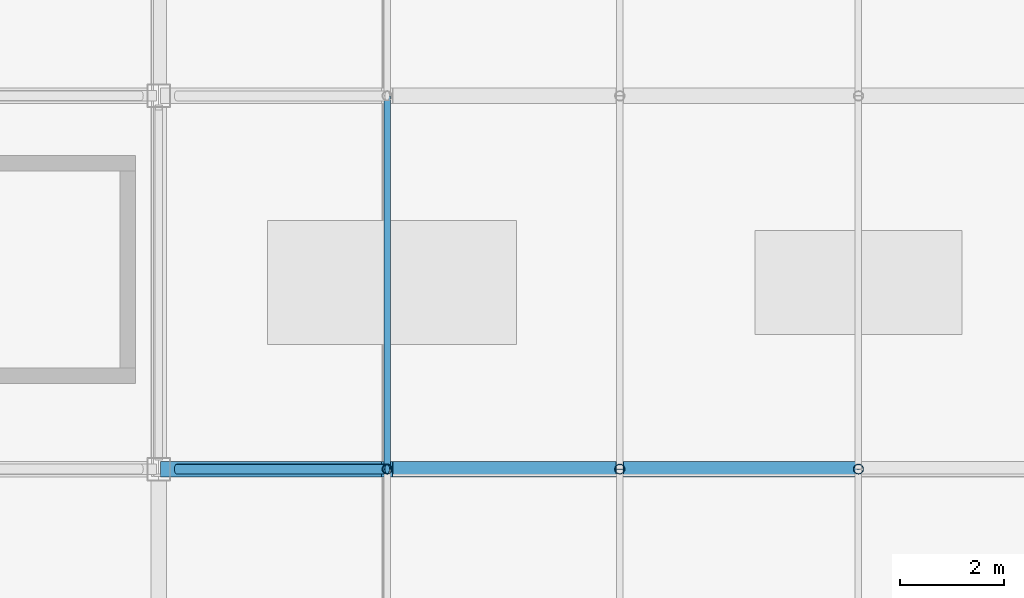
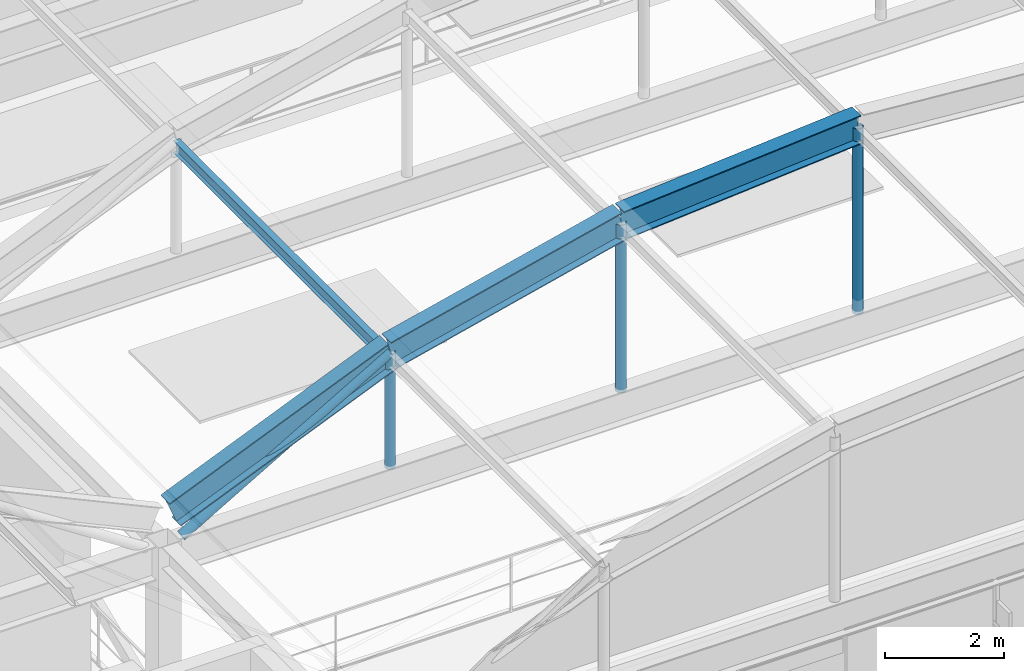
# One storey, part 36 of 106: 8 members.
"""IFC4 building model written with IfcOpenShell, lengths in metres."""

from ifc_helpers import new_model, si_unit, direction, frame, origin, origin_2d, place, context, subcontext, project, spatial, hollow_circle, i_section, extrude, material, material_profile, profile_set, type_object, element, save


model = new_model("IFC4")

# Units and contexts
model_context = context("Model", 3, precision=1e-05, world=origin(), true_north=direction((0.0, 1.0)))
body_context = subcontext(model_context, "Body", "Model", "MODEL_VIEW")
ifc_project = project(units=[si_unit("LENGTHUNIT", "METRE"), si_unit("AREAUNIT", "SQUARE_METRE"), si_unit("VOLUMEUNIT", "CUBIC_METRE"), si_unit("PLANEANGLEUNIT", "RADIAN"), si_unit("MASSUNIT", "GRAM", prefix="KILO")], contexts=[model_context])

# Site, building, storey
site_placement = place(None, origin())
site = spatial("IfcSite", under=ifc_project, at=site_placement, CompositionType="ELEMENT")
building_placement = place(site_placement, origin())
building = spatial("IfcBuilding", under=site, at=building_placement, Name="Kazanami Central Library", CompositionType="ELEMENT")
storey_placement = place(building_placement, frame((0.0, 0.0, 12.800048828125)))
storey = spatial("IfcBuildingStorey", under=building, at=storey_placement, Name="L04", CompositionType="ELEMENT", Elevation=12.800048828125)

# Members
ifc_material_1 = material(Name="Steel SN490B (325 MPa)", Category="steel")
ifc_material_profile_1 = material_profile(ifc_material_1, i_section(OverallWidth=0.300048828125, OverallDepth=0.587890625, WebThickness=0.011962890625, FlangeThickness=0.02001953125, at=origin_2d()), Name="H-588x300x12x20")
ifc_profile_set_1 = profile_set([ifc_material_profile_1], Name="Steel SN490B (325 MPa)")
member_type_1 = type_object("IfcMemberType", Name="MEM-AR-01", PredefinedType="CHORD", material=ifc_profile_set_1)
for number, where, z_axis, x_axis, name in (
    (1, (63.14990234375, 72.0, 4.299072265625), (0.921854112797, 0.0, 0.387537088185), (0.0, 1.0, 0.0), "Barrel Vault Arch Rib AR-01 VAULT-MAIN Grid L Seg 1"),
    (2, (67.407958984375, 72.0, 6.089111328125), (0.971622638672, 0.0, 0.236536356656), (0.0, 1.0, 0.0), "Barrel Vault Arch Rib AR-01 VAULT-MAIN Grid L Seg 2"),
    (3, (71.895751953125, 72.0, 7.181640625), (0.99683088961, 0.0, 0.079549842985), (0.0, 1.0, 0.0), "Barrel Vault Arch Rib AR-01 VAULT-MAIN Grid L Seg 3"),
):
    element("IfcMember", number, at=place(storey_placement, frame(where, z_axis=z_axis, x_axis=x_axis)), inside=storey, type_object=member_type_1, Name=name, PredefinedType="CHORD", context=body_context, shape_type="SweptSolid", body=[
        extrude(i_section(OverallWidth=0.300048828125, OverallDepth=0.587890625, WebThickness=0.011962890625, FlangeThickness=0.02001953125, at=origin_2d()), origin(), (0.0, 0.0, 1.0), 4.618896484375),
    ])
ifc_material_2 = material(Name="Steel SN400B (235 MPa)", Category="steel")
ifc_material_profile_2 = material_profile(ifc_material_2, i_section(OverallWidth=0.125, OverallDepth=0.25, WebThickness=0.006103515625, FlangeThickness=0.009033203125, at=origin_2d()), Name="H-250x125x6x9")
ifc_profile_set_2 = profile_set([ifc_material_profile_2], Name="Steel SN400B (235 MPa)")
member_type_2 = type_object("IfcMemberType", Name="MEM-PUR-250", PredefinedType="PURLIN", material=ifc_profile_set_2)
member_1_placement = place(storey_placement, frame((67.407958984375, 72.0048828125, 5.94921875), z_axis=(0.0, 1.0, 0.0), x_axis=(-1.0, 0.0, 0.0)))
element("IfcMember", 4, at=member_1_placement, inside=storey, type_object=member_type_2, Name="Barrel Vault Longitudinal Purlin VAULT-MAIN Knuckle 1.2", PredefinedType="PURLIN", context=body_context, shape_type="SweptSolid", body=[
    extrude(i_section(OverallWidth=0.125, OverallDepth=0.25, WebThickness=0.006103515625, FlangeThickness=0.009033203125, at=origin_2d()), origin(), (0.0, 0.0, 1.0), 7.190185546875),
])
ifc_material_3 = material(Name="Steel STK490 (315 MPa)", Category="steel")
ifc_material_profile_3 = material_profile(ifc_material_3, hollow_circle(Radius=0.095458984375, WallThickness=0.007080078125, at=origin_2d()), Name="CHS-190.7x7.0")
ifc_profile_set_3 = profile_set([ifc_material_profile_3], Name="Steel STK490 (315 MPa)")
member_type_3 = type_object("IfcMemberType", Name="MEM-VST-190", PredefinedType="STRUT", material=ifc_profile_set_3)
member_2_placement = place(storey_placement, frame((67.407958984375, 72.0, 3.71484375), z_axis=(0.0, 0.0, 1.0), x_axis=(1.0, 0.0, 0.0)))
element("IfcMember", 5, at=member_2_placement, inside=storey, type_object=member_type_3, Name="Barrel Vault Tied-Arch Web Strut VAULT-MAIN Grid L Knuckle 1", PredefinedType="STRUT", context=body_context, shape_type="SweptSolid", body=[
    extrude(hollow_circle(Radius=0.095458984375, WallThickness=0.007080078125, at=origin_2d()), origin(), (0.0, 0.0, 1.0), 2.354248046875),
])
member_3_placement = place(storey_placement, frame((71.895751953125, 72.0, 3.71484375), z_axis=(0.0, 0.0, 1.0), x_axis=(1.0, 0.0, 0.0)))
element("IfcMember", 6, at=member_3_placement, inside=storey, type_object=member_type_3, Name="Barrel Vault Tied-Arch Web Strut VAULT-MAIN Grid L Knuckle 2", PredefinedType="STRUT", context=body_context, shape_type="SweptSolid", body=[
    extrude(hollow_circle(Radius=0.095458984375, WallThickness=0.007080078125, at=origin_2d()), origin(), (0.0, 0.0, 1.0), 3.44677734375),
])
member_4_placement = place(storey_placement, frame((76.5, 72.0, 3.71484375), z_axis=(0.0, 0.0, 1.0), x_axis=(1.0, 0.0, 0.0)))
element("IfcMember", 7, at=member_4_placement, inside=storey, type_object=member_type_3, Name="Barrel Vault Tied-Arch Web Strut VAULT-MAIN Grid L Knuckle 3", PredefinedType="STRUT", context=body_context, shape_type="SweptSolid", body=[
    extrude(hollow_circle(Radius=0.095458984375, WallThickness=0.007080078125, at=origin_2d()), origin(), (0.0, 0.0, 1.0), 3.814208984375),
])
member_5_placement = place(storey_placement, frame((63.35009765625, 72.0, 3.71484375), z_axis=(0.864967490529, 0.0, 0.501827899114), x_axis=(0.0, 1.0, 0.0)))
element("IfcMember", 8, at=member_5_placement, inside=storey, type_object=member_type_3, Name="Barrel Vault Tied-Arch Diagonal VAULT-MAIN Grid L (L)", PredefinedType="BRACE", context=body_context, shape_type="SweptSolid", body=[
    extrude(hollow_circle(Radius=0.095458984375, WallThickness=0.007080078125, at=origin_2d()), origin(), (0.0, 0.0, 1.0), 4.69140625),
])

save(model, "model.ifc")
